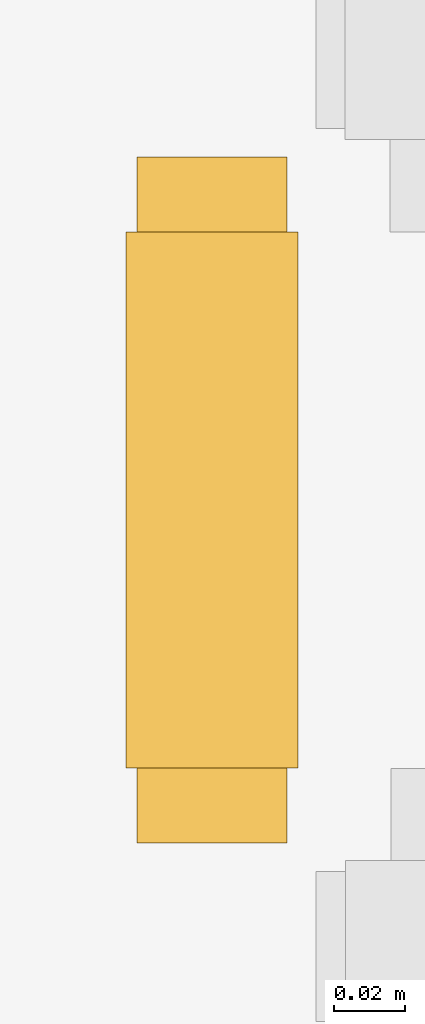
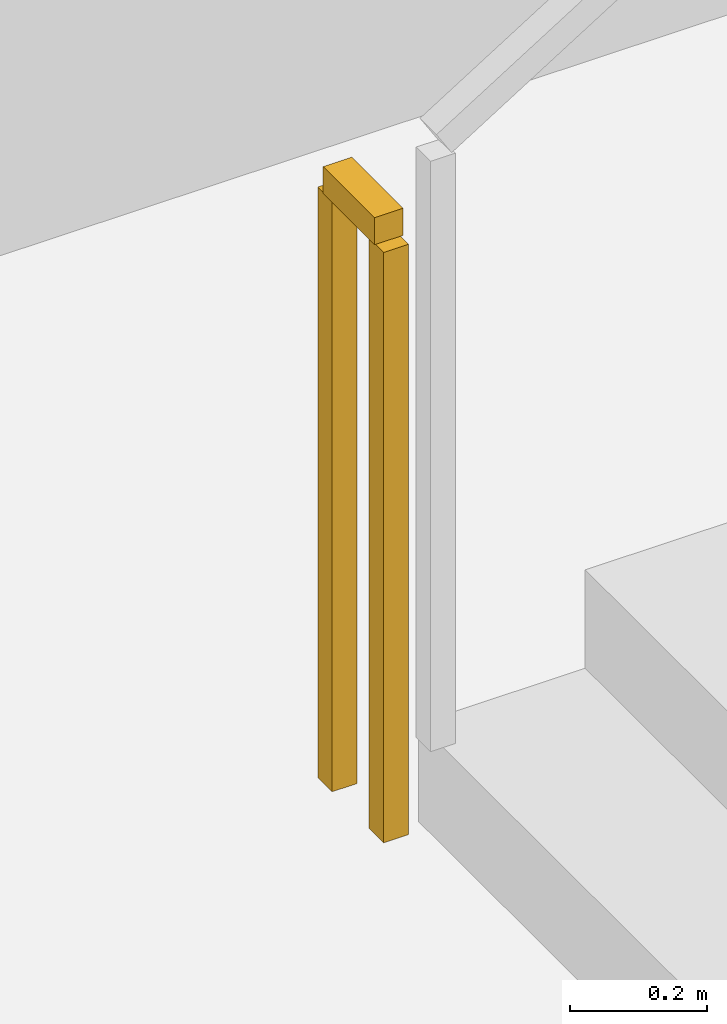
# One storey, part 11 of 14: 1 railing.
"""IFC4 building model written with IfcOpenShell, lengths in metres."""

import ifcopenshell
import ifcopenshell.guid

model = None  # the IFC model being written
_history = None  # IfcOwnerHistory: only IFC2X3 demands one
_inside = {}  # id of a spatial element -> (the spatial element, [elements in it])
_under = {}  # id of a project, library or spatial element -> (it, [spatial elements below it])
_declared = {}  # id of a project -> (the project, [libraries it declares])
_typed = {}  # id of a type object -> (the type object, [elements of that type])
_made_of = {}  # id of a material, layer set ... -> (it, [elements and type objects made of it])


def new_model(schema):
    """Start an empty IFC model of exactly this schema.

    Asked for "IFC4X3", IfcOpenShell would pick the latest addendum, in which some entities
    have other attributes; the version numbers below select the first issue.
    IFC2X3 requires an IfcOwnerHistory on every rooted entity: one is made here for all.
    """
    global model, _history
    if schema == "IFC4X3":
        model = ifcopenshell.file(schema_version=(4, 3, 0, 0))
    else:
        model = ifcopenshell.file(schema=schema)
    _inside.clear()
    _under.clear()
    _declared.clear()
    _typed.clear()
    _made_of.clear()
    _history = None
    if model.schema == "IFC2X3":
        org = make("IfcOrganization", Name="unknown")
        user = make(
            "IfcPersonAndOrganization",
            ThePerson=make("IfcPerson", FamilyName="unknown"),
            TheOrganization=org,
        )
        app = make(
            "IfcApplication",
            ApplicationDeveloper=org,
            Version="unknown",
            ApplicationFullName="unknown",
            ApplicationIdentifier="unknown",
        )
        _history = make(
            "IfcOwnerHistory",
            OwningUser=user,
            OwningApplication=app,
            ChangeAction="ADDED",
            CreationDate=0,
        )
    return model


def make(cls, **values):
    """One entity of the class cls with the attributes given. An attribute that is None is left unset."""
    return model.create_entity(
        cls, **{name: value for name, value in values.items() if value is not None}
    )


def rooted(cls, **values):
    """An entity with a GlobalId (a new one), such as an element, a storey or a relation."""
    return make(cls, GlobalId=ifcopenshell.guid.new(), OwnerHistory=_history, **values)


def si_unit(unit_type, name, prefix=None):
    """IfcSIUnit, for example si_unit("LENGTHUNIT", "METRE", prefix="MILLI")."""
    return make("IfcSIUnit", UnitType=unit_type, Prefix=prefix, Name=name)


def assignment(units):
    """IfcUnitAssignment: the units of a project."""
    return None if units is None else make("IfcUnitAssignment", Units=units)


def point(xyz):
    """IfcCartesianPoint."""
    return None if xyz is None else make("IfcCartesianPoint", Coordinates=xyz)


def direction(xyz):
    """IfcDirection."""
    return None if xyz is None else make("IfcDirection", DirectionRatios=xyz)


def frame(location, z_axis=None, x_axis=None):
    """IfcAxis2Placement3D, a coordinate frame: its origin and axes. An axis left out is left unset."""
    return make(
        "IfcAxis2Placement3D",
        Location=point(location),
        Axis=direction(z_axis),
        RefDirection=direction(x_axis),
    )


def frame_2d(location, x_axis=None):
    """IfcAxis2Placement2D, a coordinate frame in the plane: its origin and x axis."""
    return make(
        "IfcAxis2Placement2D", Location=point(location), RefDirection=direction(x_axis)
    )


def origin():
    """The frame at (0, 0, 0) with its axes left unset."""
    return frame((0.0, 0.0, 0.0))


def origin_2d():
    """The frame at (0, 0) in the plane with its x axis left unset."""
    return frame_2d((0.0, 0.0))


def place(relative_to, where):
    """IfcLocalPlacement: puts the frame where relative to a parent placement (None: the world)."""
    return make(
        "IfcLocalPlacement", PlacementRelTo=relative_to, RelativePlacement=where
    )


def context(
    kind, dimensions, precision=None, world=None, true_north=None, identifier=None
):
    """IfcGeometricRepresentationContext, for example the 3D "Model" context."""
    return make(
        "IfcGeometricRepresentationContext",
        ContextIdentifier=identifier,
        ContextType=kind,
        CoordinateSpaceDimension=dimensions,
        Precision=precision,
        WorldCoordinateSystem=world,
        TrueNorth=true_north,
    )


def subcontext(parent, identifier, kind, view, scale=None):
    """IfcGeometricRepresentationSubContext, for example "Body" below "Model"."""
    return make(
        "IfcGeometricRepresentationSubContext",
        ContextIdentifier=identifier,
        ContextType=kind,
        ParentContext=parent,
        TargetScale=scale,
        TargetView=view,
    )


def project(units=None, contexts=None):
    """IfcProject with its units and contexts."""
    return rooted(
        "IfcProject",
        Name="project",
        RepresentationContexts=contexts,
        UnitsInContext=assignment(units),
    )


def spatial(cls, under=None, at=None, **own):
    """A site, building, storey or space (cls), placed at a placement, below another one or the project."""
    s = rooted(cls, ObjectPlacement=at, **own)
    if under is not None:
        _under.setdefault(under.id(), (under, []))[1].append(s)
    return s


def profile(cls, at=None, kind="AREA", **sizes):
    """A parametric profile (cls). Its sizes go by their IFC names, for example OverallWidth=200.0."""
    return make(cls, ProfileType=kind, Position=at, **sizes)


def rectangle(**sizes):
    """IfcRectangleProfileDef."""
    return profile("IfcRectangleProfileDef", **sizes)


def extrude(swept, where, along, depth):
    """IfcExtrudedAreaSolid: the profile swept, set in the frame where, extruded along a direction by depth."""
    return make(
        "IfcExtrudedAreaSolid",
        SweptArea=swept,
        Position=where,
        ExtrudedDirection=direction(along),
        Depth=depth,
    )


def shape(context_of_items, identifier, shape_type, items):
    """IfcShapeRepresentation: the items that make up one representation, for example the "Body"."""
    return make(
        "IfcShapeRepresentation",
        ContextOfItems=context_of_items,
        RepresentationIdentifier=identifier,
        RepresentationType=shape_type,
        Items=items,
    )


def material(Name=None, Category=None):
    """IfcMaterial."""
    return make("IfcMaterial", Name=Name, Category=Category)


def made_of(thing, what):
    """Note that an element or type object is made of a material, layer set ...; save() writes the relation."""
    if what is not None:
        _made_of.setdefault(what.id(), (what, []))[1].append(thing)
    return thing


def type_object(cls, material=None, **own):
    """A type object (cls), such as IfcWallType, which elements share."""
    return made_of(rooted(cls, **own), material)


def element(
    cls,
    number,
    at=None,
    inside=None,
    cuts=None,
    type_object=None,
    material=None,
    context=None,
    identifier="Body",
    shape_type=None,
    held_by="IfcProductDefinitionShape",
    body=None,
    shapes=None,
    **own,
):
    """One element of the class cls, such as IfcWall. Its Tag is "e" and its number.

    at: its placement. inside: the storey or other place that contains it. cuts: it is an
    opening in that element (IfcRelVoidsElement). A single representation is given by context,
    identifier, shape_type and body (its items); several are given by shapes. held_by: the class
    of the entity that holds the representations. save() writes the other relations.
    """
    e = rooted(cls, Tag="e%d" % number, ObjectPlacement=at, **own)
    if body is not None:
        shapes = [shape(context, identifier, shape_type, body)]
    if shapes is not None:
        e.Representation = make(held_by, Representations=shapes)
    if inside is not None:
        _inside.setdefault(inside.id(), (inside, []))[1].append(e)
    if cuts is not None:
        rooted(
            "IfcRelVoidsElement", RelatingBuildingElement=cuts, RelatedOpeningElement=e
        )
    if type_object is not None:
        _typed.setdefault(type_object.id(), (type_object, []))[1].append(e)
    return made_of(e, material)


def aggregate(whole, parts):
    """IfcRelAggregates: a whole, such as a stair, and the parts it consists of."""
    return rooted("IfcRelAggregates", RelatingObject=whole, RelatedObjects=parts)


def save(model, path):
    """Write the relations noted so far, then the file.

    IfcRelAggregates (storeys below a building ...), IfcRelContainedInSpatialStructure (elements
    in a storey), IfcRelDefinesByType, IfcRelAssociatesMaterial and IfcRelDeclares: one each for
    every whole, place, type object, material and project.
    """
    for whole, parts in _under.values():
        aggregate(whole, parts)
    for where, things in _inside.values():
        rooted(
            "IfcRelContainedInSpatialStructure",
            RelatedElements=things,
            RelatingStructure=where,
        )
    for kind, things in _typed.values():
        rooted("IfcRelDefinesByType", RelatedObjects=things, RelatingType=kind)
    for what, things in _made_of.values():
        rooted("IfcRelAssociatesMaterial", RelatedObjects=things, RelatingMaterial=what)
    for by, libraries in _declared.values():
        rooted("IfcRelDeclares", RelatingContext=by, RelatedDefinitions=libraries)
    model.write(path)


model = new_model("IFC4")

# Units and contexts
model_context = context("Model", 3, precision=1e-05, world=origin(), true_north=direction((0.0, 1.0)))
body_context = subcontext(model_context, "Body", "Model", "MODEL_VIEW")
ifc_project = project(units=[si_unit("LENGTHUNIT", "METRE"), si_unit("AREAUNIT", "SQUARE_METRE"), si_unit("VOLUMEUNIT", "CUBIC_METRE"), si_unit("PLANEANGLEUNIT", "RADIAN"), si_unit("MASSUNIT", "GRAM", prefix="KILO")], contexts=[model_context])

# Site, building, storey
site_placement = place(None, origin())
site = spatial("IfcSite", under=ifc_project, at=site_placement, CompositionType="ELEMENT")
building_placement = place(site_placement, origin())
building = spatial("IfcBuilding", under=site, at=building_placement, Name="Norrkilde Senior Care Towers", CompositionType="ELEMENT")
storey_placement = place(building_placement, frame((0.0, 0.0, -8.39990234375)))
storey = spatial("IfcBuildingStorey", under=building, at=storey_placement, Name="B2", CompositionType="ELEMENT", Elevation=-8.39990234375)

# Railing
ifc_material = material(Name="Stainless Steel", Category="steel")
railing_type = type_object("IfcRailingType", Name="Stair and Terrace Guardrail 1100", PredefinedType="GUARDRAIL", material=ifc_material)
railing_placement = place(storey_placement, frame((8.75, -15.39990234375, 0.0)))
element("IfcRailing", 1, at=railing_placement, inside=storey, type_object=railing_type, Name="B2 ST-P2 stair guard 4", PredefinedType="GUARDRAIL", context=body_context, shape_type="SweptSolid", body=[
    extrude(rectangle(XDim=0.048095703125, YDim=0.048095703125, at=origin_2d()), frame((0.0, 0.0, 1.076171875), z_axis=(0.0, 1.0, 0.0), x_axis=(-1.0, 0.0, 0.0)), (0.0, 0.0, 1.0), 0.14990234375),
    extrude(rectangle(XDim=0.0419921875, YDim=0.0419921875, at=origin_2d()), origin(), (0.0, 0.0, 1.0), 1.050048828125),
    extrude(rectangle(XDim=0.0419921875, YDim=0.0419921875, at=origin_2d()), frame((0.0, 0.14990234375, 0.0)), (0.0, 0.0, 1.0), 1.050048828125),
])

save(model, "model.ifc")
